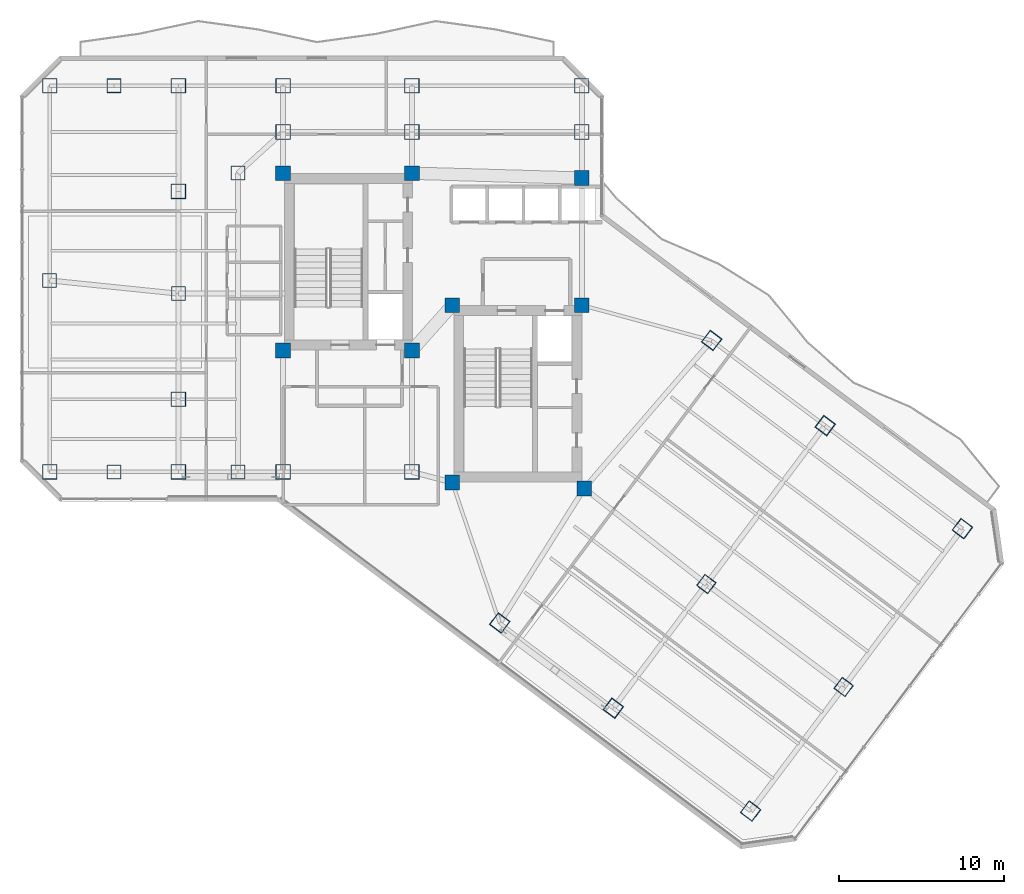
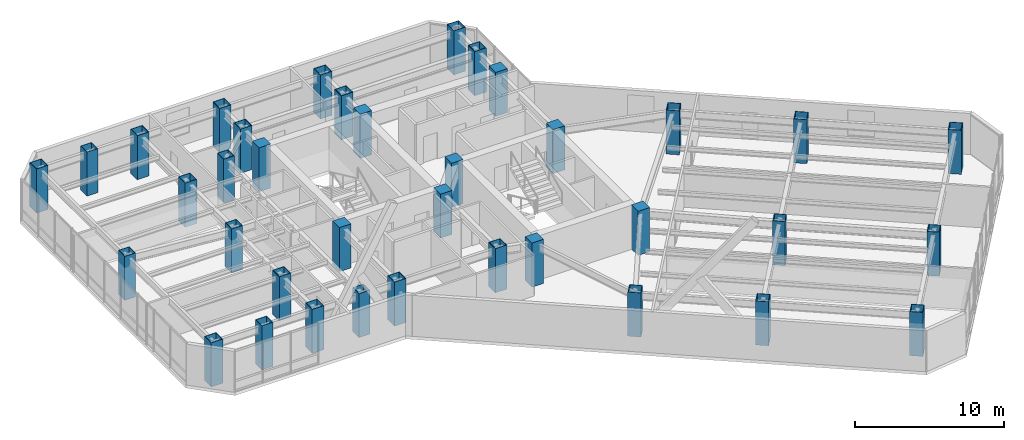
# One storey, part 1 of 29: 37 columns.
"""IFC4 building model written with IfcOpenShell, lengths in metres."""

from ifc_helpers import new_model, si_unit, direction, frame, origin, origin_2d, place, context, subcontext, project, spatial, rectangle, hollow_rectangle, extrude, material, material_profile, profile_set, type_object, element, save


model = new_model("IFC4")

# Units and contexts
model_context = context("Model", 3, precision=1e-05, world=origin(), true_north=direction((0.0, 1.0)))
body_context = subcontext(model_context, "Body", "Model", "MODEL_VIEW")
ifc_project = project(units=[si_unit("LENGTHUNIT", "METRE"), si_unit("AREAUNIT", "SQUARE_METRE"), si_unit("VOLUMEUNIT", "CUBIC_METRE"), si_unit("PLANEANGLEUNIT", "RADIAN"), si_unit("MASSUNIT", "GRAM", prefix="KILO")], contexts=[model_context])

# Site, building, storey
site_placement = place(None, origin())
site = spatial("IfcSite", under=ifc_project, at=site_placement, CompositionType="ELEMENT")
building_placement = place(site_placement, origin())
building = spatial("IfcBuilding", under=site, at=building_placement, Name="Hatsunagi Terrace Concourse", CompositionType="ELEMENT")
storey_placement = place(building_placement, frame((0.0, 0.0, 108.449951171875)))
storey = spatial("IfcBuildingStorey", under=building, at=storey_placement, Name="L28", CompositionType="ELEMENT", Elevation=108.449951171875)

# Columns
ifc_material_1 = material(Name="Concrete Fc48", Category="concrete")
ifc_material_profile_1 = material_profile(ifc_material_1, rectangle(XDim=0.89990234375, YDim=0.89990234375, at=origin_2d()), Name="RC-900x900")
ifc_profile_set_1 = profile_set([ifc_material_profile_1], Name="Concrete Fc48")
column_type_1 = type_object("IfcColumnType", Name="CoreColumn_RC_900x900", PredefinedType="COLUMN", material=ifc_profile_set_1)
for number, where, z_axis, x_axis, name in (
    (1, (25.550048828125, 32.550048828125, 0.0), (0.0, 0.0, 1.0), (1.0, 0.0, 0.0), "Column C-02 L28-CASW"),
    (2, (33.35009765625, 32.550048828125, 0.0), (0.0, 0.0, 1.0), (1.0, 0.0, 0.0), "Column C-02 L28-CASE"),
    (3, (25.550048828125, 43.300048828125, 0.0), (0.0, 0.0, 1.0), (1.0, 0.0, 0.0), "Column C-02 L28-CANW"),
    (4, (33.35009765625, 43.300048828125, 0.0), (0.0, 0.0, 1.0), (1.0, 0.0, 0.0), "Column C-02 L28-CANE"),
    (5, (35.800048828125, 24.550048828125, 0.0), (0.0, 0.0, 1.0), (1.0, 0.0, 0.0), "Column C-02 L28-CBSW"),
    (6, (43.800048828125, 24.199951171875, 0.0), (0.0, 0.0, 1.0), (1.0, 0.0, 0.0), "Column C-02 L28-CBSE"),
    (7, (35.800048828125, 35.300048828125, 0.0), (0.0, 0.0, 1.0), (1.0, 0.0, 0.0), "Column C-02 L28-CBNW"),
    (8, (43.64990234375, 35.300048828125, 0.0), (0.0, 0.0, 1.0), (1.0, 0.0, 0.0), "Column C-02 L28-CBNE"),
    (9, (43.64990234375, 43.0, 0.0), (0.0, 0.0, 1.0), (1.0, 0.0, 0.0), "Column C-02 L28-K3"),
):
    element("IfcColumn", number, at=place(storey_placement, frame(where, z_axis=z_axis, x_axis=x_axis)), inside=storey, type_object=column_type_1, Name=name, PredefinedType="COLUMN", context=body_context, shape_type="SweptSolid", body=[
        extrude(rectangle(XDim=0.89990234375, YDim=0.89990234375, at=origin_2d()), origin(), (0.0, 0.0, 1.0), 3.60009765625),
    ])
ifc_material_2 = material(Name="Steel BCP325T", Category="steel")
ifc_material_profile_2 = material_profile(ifc_material_2, hollow_rectangle(XDim=0.85009765625, YDim=0.85009765625, WallThickness=0.031982421875, at=origin_2d()), Name="BCP-850x850x32")
ifc_profile_set_2 = profile_set([ifc_material_profile_2], Name="Steel BCP325T")
column_type_2 = type_object("IfcColumnType", Name="TowerBoxColumn_850x850x32", PredefinedType="COLUMN", material=ifc_profile_set_2)
for number, where, z_axis, x_axis, name in (
    (10, (22.800048828125, 25.199951171875, 0.0), (0.0, 0.0, 1.0), (1.0, 0.0, 0.0), "Column C-05 L28-CW1"),
    (11, (22.800048828125, 43.300048828125, 0.0), (0.0, 0.0, 1.0), (1.0, 0.0, 0.0), "Column C-05 L28-CW2"),
    (12, (11.39990234375, 36.800048828125, 0.0), (0.0, 0.0, 1.0), (1.0, 0.0, 0.0), "Column C-05 L28-WT1"),
    (13, (19.199951171875, 36.0, 0.0), (0.0, 0.0, 1.0), (1.0, 0.0, 0.0), "Column C-05 L28-WT2"),
    (14, (15.300048828125, 25.199951171875, 0.0), (0.0, 0.0, 1.0), (1.0, 0.0, 0.0), "Column C-05 L28-WT3"),
    (15, (15.300048828125, 48.60009765625, 0.0), (0.0, 0.0, 1.0), (1.0, 0.0, 0.0), "Column C-05 L28-WT4"),
    (16, (51.199951171875, 18.39990234375, 0.0), (0.0, 0.0, 1.0), (0.799999996291, -0.600000004945, 0.0), "Column C-05 L28-SEM2"),
    (17, (59.52001953125, 12.159912109375, 0.0), (0.0, 0.0, 1.0), (0.799999996291, -0.600000004945, 0.0), "Column C-05 L28-SEM3"),
):
    element("IfcColumn", number, at=place(storey_placement, frame(where, z_axis=z_axis, x_axis=x_axis)), inside=storey, type_object=column_type_2, Name=name, PredefinedType="COLUMN", context=body_context, shape_type="SweptSolid", body=[
        extrude(hollow_rectangle(XDim=0.85009765625, YDim=0.85009765625, WallThickness=0.031982421875, at=origin_2d()), origin(), (0.0, 0.0, 1.0), 3.60009765625),
    ])
ifc_material_3 = material(Name="Steel BCP325T", Category="steel")
ifc_material_profile_3 = material_profile(ifc_material_3, hollow_rectangle(XDim=0.89990234375, YDim=0.89990234375, WallThickness=0.035888671875, at=origin_2d()), Name="BCP-900x900x36")
ifc_profile_set_3 = profile_set([ifc_material_profile_3], Name="Steel BCP325T")
column_type_3 = type_object("IfcColumnType", Name="TowerBoxColumn_900x900x36", PredefinedType="COLUMN", material=ifc_profile_set_3)
for number, where, z_axis, x_axis, name in (
    (18, (25.550048828125, 25.199951171875, 0.0), (0.0, 0.0, 1.0), (1.0, 0.0, 0.0), "Column C-04 L28-K1"),
    (19, (33.35009765625, 25.199951171875, 0.0), (0.0, 0.0, 1.0), (1.0, 0.0, 0.0), "Column C-04 L28-K2"),
    (20, (25.550048828125, 45.800048828125, 0.0), (0.0, 0.0, 1.0), (1.0, 0.0, 0.0), "Column C-04 L28-CN1"),
    (21, (33.35009765625, 45.800048828125, 0.0), (0.0, 0.0, 1.0), (1.0, 0.0, 0.0), "Column C-04 L28-CN2"),
    (22, (43.64990234375, 45.800048828125, 0.0), (0.0, 0.0, 1.0), (1.0, 0.0, 0.0), "Column C-04 L28-CN3"),
    (23, (11.39990234375, 25.199951171875, 0.0), (0.0, 0.0, 1.0), (1.0, 0.0, 0.0), "Column C-04 L28-WS2"),
    (24, (11.39990234375, 48.60009765625, 0.0), (0.0, 0.0, 1.0), (1.0, 0.0, 0.0), "Column C-04 L28-WN2"),
    (25, (19.199951171875, 48.60009765625, 0.0), (0.0, 0.0, 1.0), (1.0, 0.0, 0.0), "Column C-04 L28-WN3"),
    (26, (25.550048828125, 48.60009765625, 0.0), (0.0, 0.0, 1.0), (1.0, 0.0, 0.0), "Column C-04 L28-WN4"),
    (27, (33.35009765625, 48.60009765625, 0.0), (0.0, 0.0, 1.0), (1.0, 0.0, 0.0), "Column C-04 L28-WN5"),
    (28, (43.64990234375, 48.60009765625, 0.0), (0.0, 0.0, 1.0), (1.0, 0.0, 0.0), "Column C-04 L28-WN6"),
    (29, (19.199951171875, 25.199951171875, 0.0), (0.0, 0.0, 1.0), (1.0, 0.0, 0.0), "Column C-04 L28-WS3"),
    (30, (19.199951171875, 29.60009765625, 0.0), (0.0, 0.0, 1.0), (1.0, 0.0, 0.0), "Column C-04 L28-WR1"),
    (31, (19.199951171875, 42.199951171875, 0.0), (0.0, 0.0, 1.0), (1.0, 0.0, 0.0), "Column C-04 L28-WR2"),
    (32, (38.679931640625, 16.0400390625, 0.0), (0.0, 0.0, 1.0), (0.799999996291, -0.600000004945, 0.0), "Column C-04 L28-SES1"),
    (33, (51.52001953125, 33.159912109375, 0.0), (0.0, 0.0, 1.0), (0.799999996291, -0.600000004945, 0.0), "Column C-04 L28-SEN1"),
    (34, (45.56005859375, 10.8798828125, 0.0), (0.0, 0.0, 1.0), (0.799999996291, -0.600000004945, 0.0), "Column C-04 L28-SES2"),
    (35, (58.39990234375, 28.0, 0.0), (0.0, 0.0, 1.0), (0.799999996291, -0.600000004945, 0.0), "Column C-04 L28-SEN2"),
    (36, (53.8798828125, 4.639892578125, 0.0), (0.0, 0.0, 1.0), (0.799999996291, -0.600000004945, 0.0), "Column C-04 L28-SES3"),
    (37, (66.719970703125, 21.760009765625, 0.0), (0.0, 0.0, 1.0), (0.799999996291, -0.600000004945, 0.0), "Column C-04 L28-SEN3"),
):
    element("IfcColumn", number, at=place(storey_placement, frame(where, z_axis=z_axis, x_axis=x_axis)), inside=storey, type_object=column_type_3, Name=name, PredefinedType="COLUMN", context=body_context, shape_type="SweptSolid", body=[
        extrude(hollow_rectangle(XDim=0.89990234375, YDim=0.89990234375, WallThickness=0.035888671875, at=origin_2d()), origin(), (0.0, 0.0, 1.0), 3.60009765625),
    ])

save(model, "model.ifc")
